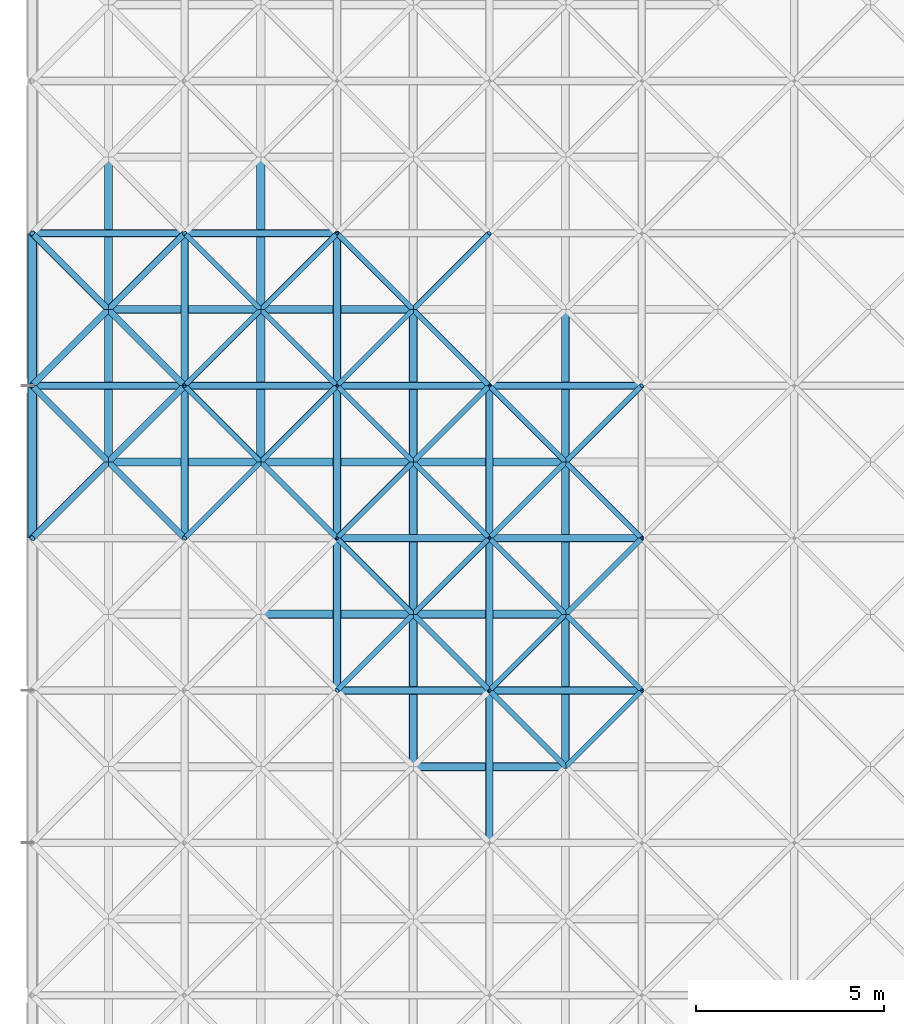
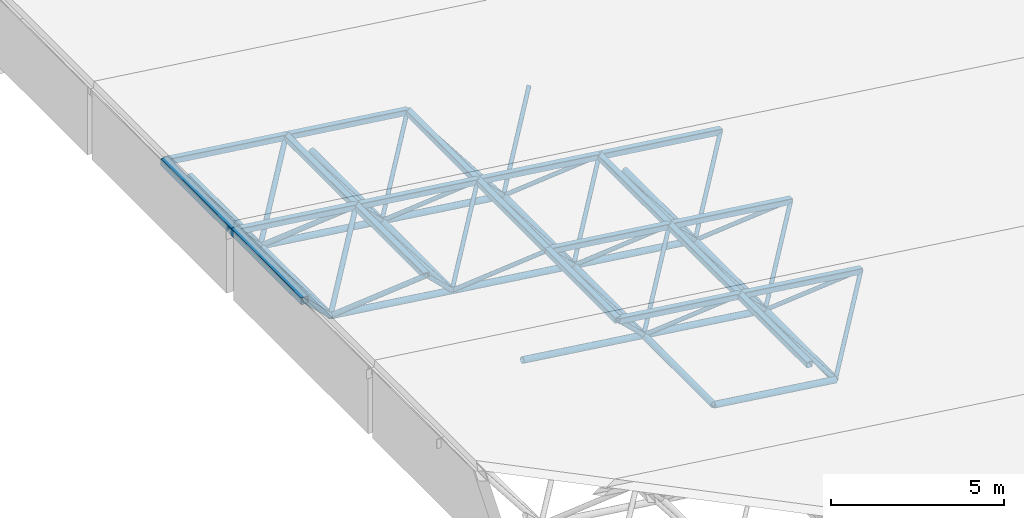
# One storey, part 20 of 70: 76 members.
"""IFC4 building model written with IfcOpenShell, lengths in metres."""

import ifcopenshell
import ifcopenshell.guid

model = None  # the IFC model being written
_history = None  # IfcOwnerHistory: only IFC2X3 demands one
_inside = {}  # id of a spatial element -> (the spatial element, [elements in it])
_under = {}  # id of a project, library or spatial element -> (it, [spatial elements below it])
_declared = {}  # id of a project -> (the project, [libraries it declares])
_typed = {}  # id of a type object -> (the type object, [elements of that type])
_made_of = {}  # id of a material, layer set ... -> (it, [elements and type objects made of it])


def new_model(schema):
    """Start an empty IFC model of exactly this schema.

    Asked for "IFC4X3", IfcOpenShell would pick the latest addendum, in which some entities
    have other attributes; the version numbers below select the first issue.
    IFC2X3 requires an IfcOwnerHistory on every rooted entity: one is made here for all.
    """
    global model, _history
    if schema == "IFC4X3":
        model = ifcopenshell.file(schema_version=(4, 3, 0, 0))
    else:
        model = ifcopenshell.file(schema=schema)
    _inside.clear()
    _under.clear()
    _declared.clear()
    _typed.clear()
    _made_of.clear()
    _history = None
    if model.schema == "IFC2X3":
        org = make("IfcOrganization", Name="unknown")
        user = make(
            "IfcPersonAndOrganization",
            ThePerson=make("IfcPerson", FamilyName="unknown"),
            TheOrganization=org,
        )
        app = make(
            "IfcApplication",
            ApplicationDeveloper=org,
            Version="unknown",
            ApplicationFullName="unknown",
            ApplicationIdentifier="unknown",
        )
        _history = make(
            "IfcOwnerHistory",
            OwningUser=user,
            OwningApplication=app,
            ChangeAction="ADDED",
            CreationDate=0,
        )
    return model


def make(cls, **values):
    """One entity of the class cls with the attributes given. An attribute that is None is left unset."""
    return model.create_entity(
        cls, **{name: value for name, value in values.items() if value is not None}
    )


def rooted(cls, **values):
    """An entity with a GlobalId (a new one), such as an element, a storey or a relation."""
    return make(cls, GlobalId=ifcopenshell.guid.new(), OwnerHistory=_history, **values)


def si_unit(unit_type, name, prefix=None):
    """IfcSIUnit, for example si_unit("LENGTHUNIT", "METRE", prefix="MILLI")."""
    return make("IfcSIUnit", UnitType=unit_type, Prefix=prefix, Name=name)


def assignment(units):
    """IfcUnitAssignment: the units of a project."""
    return None if units is None else make("IfcUnitAssignment", Units=units)


def point(xyz):
    """IfcCartesianPoint."""
    return None if xyz is None else make("IfcCartesianPoint", Coordinates=xyz)


def direction(xyz):
    """IfcDirection."""
    return None if xyz is None else make("IfcDirection", DirectionRatios=xyz)


def frame(location, z_axis=None, x_axis=None):
    """IfcAxis2Placement3D, a coordinate frame: its origin and axes. An axis left out is left unset."""
    return make(
        "IfcAxis2Placement3D",
        Location=point(location),
        Axis=direction(z_axis),
        RefDirection=direction(x_axis),
    )


def frame_2d(location, x_axis=None):
    """IfcAxis2Placement2D, a coordinate frame in the plane: its origin and x axis."""
    return make(
        "IfcAxis2Placement2D", Location=point(location), RefDirection=direction(x_axis)
    )


def origin():
    """The frame at (0, 0, 0) with its axes left unset."""
    return frame((0.0, 0.0, 0.0))


def origin_2d():
    """The frame at (0, 0) in the plane with its x axis left unset."""
    return frame_2d((0.0, 0.0))


def place(relative_to, where):
    """IfcLocalPlacement: puts the frame where relative to a parent placement (None: the world)."""
    return make(
        "IfcLocalPlacement", PlacementRelTo=relative_to, RelativePlacement=where
    )


def context(
    kind, dimensions, precision=None, world=None, true_north=None, identifier=None
):
    """IfcGeometricRepresentationContext, for example the 3D "Model" context."""
    return make(
        "IfcGeometricRepresentationContext",
        ContextIdentifier=identifier,
        ContextType=kind,
        CoordinateSpaceDimension=dimensions,
        Precision=precision,
        WorldCoordinateSystem=world,
        TrueNorth=true_north,
    )


def subcontext(parent, identifier, kind, view, scale=None):
    """IfcGeometricRepresentationSubContext, for example "Body" below "Model"."""
    return make(
        "IfcGeometricRepresentationSubContext",
        ContextIdentifier=identifier,
        ContextType=kind,
        ParentContext=parent,
        TargetScale=scale,
        TargetView=view,
    )


def project(units=None, contexts=None):
    """IfcProject with its units and contexts."""
    return rooted(
        "IfcProject",
        Name="project",
        RepresentationContexts=contexts,
        UnitsInContext=assignment(units),
    )


def spatial(cls, under=None, at=None, **own):
    """A site, building, storey or space (cls), placed at a placement, below another one or the project."""
    s = rooted(cls, ObjectPlacement=at, **own)
    if under is not None:
        _under.setdefault(under.id(), (under, []))[1].append(s)
    return s


def profile(cls, at=None, kind="AREA", **sizes):
    """A parametric profile (cls). Its sizes go by their IFC names, for example OverallWidth=200.0."""
    return make(cls, ProfileType=kind, Position=at, **sizes)


def hollow_rectangle(**sizes):
    """IfcRectangleHollowProfileDef."""
    return profile("IfcRectangleHollowProfileDef", **sizes)


def hollow_circle(**sizes):
    """IfcCircleHollowProfileDef."""
    return profile("IfcCircleHollowProfileDef", **sizes)


def extrude(swept, where, along, depth):
    """IfcExtrudedAreaSolid: the profile swept, set in the frame where, extruded along a direction by depth."""
    return make(
        "IfcExtrudedAreaSolid",
        SweptArea=swept,
        Position=where,
        ExtrudedDirection=direction(along),
        Depth=depth,
    )


def shape(context_of_items, identifier, shape_type, items):
    """IfcShapeRepresentation: the items that make up one representation, for example the "Body"."""
    return make(
        "IfcShapeRepresentation",
        ContextOfItems=context_of_items,
        RepresentationIdentifier=identifier,
        RepresentationType=shape_type,
        Items=items,
    )


def material(Name=None, Category=None):
    """IfcMaterial."""
    return make("IfcMaterial", Name=Name, Category=Category)


def material_profile(
    of_material, cross_section, Name=None, Category=None, Priority=None
):
    """IfcMaterialProfile: a cross section and its material."""
    return make(
        "IfcMaterialProfile",
        Name=Name,
        Material=of_material,
        Profile=cross_section,
        Priority=Priority,
        Category=Category,
    )


def profile_set(profiles, Name=None, composite=None):
    """IfcMaterialProfileSet."""
    return make(
        "IfcMaterialProfileSet",
        Name=Name,
        MaterialProfiles=profiles,
        CompositeProfile=composite,
    )


def made_of(thing, what):
    """Note that an element or type object is made of a material, layer set ...; save() writes the relation."""
    if what is not None:
        _made_of.setdefault(what.id(), (what, []))[1].append(thing)
    return thing


def type_object(cls, material=None, **own):
    """A type object (cls), such as IfcWallType, which elements share."""
    return made_of(rooted(cls, **own), material)


def element(
    cls,
    number,
    at=None,
    inside=None,
    cuts=None,
    type_object=None,
    material=None,
    context=None,
    identifier="Body",
    shape_type=None,
    held_by="IfcProductDefinitionShape",
    body=None,
    shapes=None,
    **own,
):
    """One element of the class cls, such as IfcWall. Its Tag is "e" and its number.

    at: its placement. inside: the storey or other place that contains it. cuts: it is an
    opening in that element (IfcRelVoidsElement). A single representation is given by context,
    identifier, shape_type and body (its items); several are given by shapes. held_by: the class
    of the entity that holds the representations. save() writes the other relations.
    """
    e = rooted(cls, Tag="e%d" % number, ObjectPlacement=at, **own)
    if body is not None:
        shapes = [shape(context, identifier, shape_type, body)]
    if shapes is not None:
        e.Representation = make(held_by, Representations=shapes)
    if inside is not None:
        _inside.setdefault(inside.id(), (inside, []))[1].append(e)
    if cuts is not None:
        rooted(
            "IfcRelVoidsElement", RelatingBuildingElement=cuts, RelatedOpeningElement=e
        )
    if type_object is not None:
        _typed.setdefault(type_object.id(), (type_object, []))[1].append(e)
    return made_of(e, material)


def aggregate(whole, parts):
    """IfcRelAggregates: a whole, such as a stair, and the parts it consists of."""
    return rooted("IfcRelAggregates", RelatingObject=whole, RelatedObjects=parts)


def save(model, path):
    """Write the relations noted so far, then the file.

    IfcRelAggregates (storeys below a building ...), IfcRelContainedInSpatialStructure (elements
    in a storey), IfcRelDefinesByType, IfcRelAssociatesMaterial and IfcRelDeclares: one each for
    every whole, place, type object, material and project.
    """
    for whole, parts in _under.values():
        aggregate(whole, parts)
    for where, things in _inside.values():
        rooted(
            "IfcRelContainedInSpatialStructure",
            RelatedElements=things,
            RelatingStructure=where,
        )
    for kind, things in _typed.values():
        rooted("IfcRelDefinesByType", RelatedObjects=things, RelatingType=kind)
    for what, things in _made_of.values():
        rooted("IfcRelAssociatesMaterial", RelatedObjects=things, RelatingMaterial=what)
    for by, libraries in _declared.values():
        rooted("IfcRelDeclares", RelatingContext=by, RelatedDefinitions=libraries)
    model.write(path)


model = new_model("IFC4")

# Units and contexts
model_context = context("Model", 3, precision=1e-05, world=origin(), true_north=direction((0.0, 1.0)))
body_context = subcontext(model_context, "Body", "Model", "MODEL_VIEW")
ifc_project = project(units=[si_unit("LENGTHUNIT", "METRE"), si_unit("AREAUNIT", "SQUARE_METRE"), si_unit("VOLUMEUNIT", "CUBIC_METRE"), si_unit("PLANEANGLEUNIT", "RADIAN"), si_unit("MASSUNIT", "GRAM", prefix="KILO")], contexts=[model_context])

# Site, building, storey
site_placement = place(None, origin())
site = spatial("IfcSite", under=ifc_project, at=site_placement, CompositionType="ELEMENT")
building_placement = place(site_placement, origin())
building = spatial("IfcBuilding", under=site, at=building_placement, Name="Vaudrelin Polytechnic", CompositionType="ELEMENT")
storey_placement = place(building_placement, frame((0.0, 0.0, 14.110107421875)))
storey = spatial("IfcBuildingStorey", under=building, at=storey_placement, Name="L03", CompositionType="ELEMENT", Elevation=14.110107421875)

# Members
ifc_material = material(Name="Steel CSA G40.21 350WT", Category="steel")
ifc_material_profile_1 = material_profile(ifc_material, hollow_circle(Radius=0.109619140625, WallThickness=0.010986328125, at=origin_2d()), Name="CHS219.1x11.1")
ifc_profile_set_1 = profile_set([ifc_material_profile_1], Name="Steel CSA G40.21 350WT")
member_type_1 = type_object("IfcMemberType", Name="MEM-SF-BC1", PredefinedType="CHORD", material=ifc_profile_set_1)
for number, where, z_axis, x_axis, name in (
    (1, (10.125, 70.875, 0.972412109375), (0.991444732077, 0.0, -0.130527174324), (0.0, 1.0, 0.0), "Space frame bottom chord X 3-8"),
    (2, (6.074951171875, 74.925048828125, 1.505615234375), (0.991444732077, 0.0, -0.130527174324), (0.0, 1.0, 0.0), "Space frame bottom chord X 2-9"),
    (3, (10.125, 74.925048828125, 0.972412109375), (0.991444732077, 0.0, -0.130527174324), (0.0, 1.0, 0.0), "Space frame bottom chord X 3-9"),
    (4, (2.02490234375, 78.97509765625, 2.038818359375), (0.991444732077, 0.0, -0.130527174324), (0.0, 1.0, 0.0), "Space frame bottom chord X 1-10"),
    (5, (6.074951171875, 78.97509765625, 1.505615234375), (0.991444732077, 0.0, -0.130527174324), (0.0, 1.0, 0.0), "Space frame bottom chord X 2-10"),
    (6, (10.125, 78.97509765625, 0.972412109375), (0.991444732077, 0.0, -0.130527174324), (0.0, 1.0, 0.0), "Space frame bottom chord X 3-10"),
    (7, (2.02490234375, 83.02490234375, 2.038818359375), (0.991444732077, 0.0, -0.130527174324), (0.0, 1.0, 0.0), "Space frame bottom chord X 1-11"),
    (8, (6.074951171875, 83.02490234375, 1.505615234375), (0.991444732077, 0.0, -0.130527174324), (0.0, 1.0, 0.0), "Space frame bottom chord X 2-11"),
):
    element("IfcMember", number, at=place(storey_placement, frame(where, z_axis=z_axis, x_axis=x_axis)), inside=storey, type_object=member_type_1, Name=name, PredefinedType="CHORD", context=body_context, shape_type="SweptSolid", body=[
        extrude(hollow_circle(Radius=0.109619140625, WallThickness=0.010986328125, at=origin_2d()), origin(), (0.0, 0.0, 1.0), 4.0849609375),
    ])
member_1_placement = place(storey_placement, frame((2.02490234375, 78.97509765625, 2.038818359375), z_axis=(0.0, 1.0, 0.0), x_axis=(-1.0, 0.0, 0.0)))
element("IfcMember", 9, at=member_1_placement, inside=storey, type_object=member_type_1, Name="Space frame bottom chord Y 1-10", PredefinedType="CHORD", context=body_context, shape_type="SweptSolid", body=[
    extrude(hollow_circle(Radius=0.109619140625, WallThickness=0.010986328125, at=origin_2d()), origin(), (0.0, 0.0, 1.0), 4.0498046875),
])
member_2_placement = place(storey_placement, frame((2.02490234375, 83.02490234375, 2.038818359375), z_axis=(0.0, 1.0, 0.0), x_axis=(-1.0, 0.0, 0.0)))
element("IfcMember", 10, at=member_2_placement, inside=storey, type_object=member_type_1, Name="Space frame bottom chord Y 1-11", PredefinedType="CHORD", context=body_context, shape_type="SweptSolid", body=[
    extrude(hollow_circle(Radius=0.109619140625, WallThickness=0.010986328125, at=origin_2d()), origin(), (0.0, 0.0, 1.0), 4.050048828125),
])
member_3_placement = place(storey_placement, frame((6.074951171875, 78.97509765625, 1.505615234375), z_axis=(0.0, 1.0, 0.0), x_axis=(-1.0, 0.0, 0.0)))
element("IfcMember", 11, at=member_3_placement, inside=storey, type_object=member_type_1, Name="Space frame bottom chord Y 2-10", PredefinedType="CHORD", context=body_context, shape_type="SweptSolid", body=[
    extrude(hollow_circle(Radius=0.109619140625, WallThickness=0.010986328125, at=origin_2d()), origin(), (0.0, 0.0, 1.0), 4.0498046875),
])
for number, where, z_axis, x_axis, name in (
    (12, (6.074951171875, 83.02490234375, 1.505615234375), (0.0, 1.0, 0.0), (-1.0, 0.0, 0.0), "Space frame bottom chord Y 2-11"),
    (13, (10.125, 70.875, 0.972412109375), (0.0, 1.0, 0.0), (-1.0, 0.0, 0.0), "Space frame bottom chord Y 3-8"),
    (14, (10.125, 74.925048828125, 0.972412109375), (0.0, 1.0, 0.0), (-1.0, 0.0, 0.0), "Space frame bottom chord Y 3-9"),
):
    element("IfcMember", number, at=place(storey_placement, frame(where, z_axis=z_axis, x_axis=x_axis)), inside=storey, type_object=member_type_1, Name=name, PredefinedType="CHORD", context=body_context, shape_type="SweptSolid", body=[
        extrude(hollow_circle(Radius=0.109619140625, WallThickness=0.010986328125, at=origin_2d()), origin(), (0.0, 0.0, 1.0), 4.050048828125),
    ])
member_4_placement = place(storey_placement, frame((10.125, 78.97509765625, 0.972412109375), z_axis=(0.0, 1.0, 0.0), x_axis=(-1.0, 0.0, 0.0)))
element("IfcMember", 15, at=member_4_placement, inside=storey, type_object=member_type_1, Name="Space frame bottom chord Y 3-10", PredefinedType="CHORD", context=body_context, shape_type="SweptSolid", body=[
    extrude(hollow_circle(Radius=0.109619140625, WallThickness=0.010986328125, at=origin_2d()), origin(), (0.0, 0.0, 1.0), 4.0498046875),
])
for number, where, z_axis, x_axis, name in (
    (16, (14.175048828125, 70.875, 0.439208984375), (0.0, 1.0, 0.0), (-1.0, 0.0, 0.0), "Space frame bottom chord Y 4-8"),
    (17, (14.175048828125, 74.925048828125, 0.439208984375), (0.0, 1.0, 0.0), (-1.0, 0.0, 0.0), "Space frame bottom chord Y 4-9"),
):
    element("IfcMember", number, at=place(storey_placement, frame(where, z_axis=z_axis, x_axis=x_axis)), inside=storey, type_object=member_type_1, Name=name, PredefinedType="CHORD", context=body_context, shape_type="SweptSolid", body=[
        extrude(hollow_circle(Radius=0.109619140625, WallThickness=0.010986328125, at=origin_2d()), origin(), (0.0, 0.0, 1.0), 4.050048828125),
    ])
member_5_placement = place(storey_placement, frame((14.175048828125, 78.97509765625, 0.439208984375), z_axis=(0.0, 1.0, 0.0), x_axis=(-1.0, 0.0, 0.0)))
element("IfcMember", 18, at=member_5_placement, inside=storey, type_object=member_type_1, Name="Space frame bottom chord Y 4-10", PredefinedType="CHORD", context=body_context, shape_type="SweptSolid", body=[
    extrude(hollow_circle(Radius=0.109619140625, WallThickness=0.010986328125, at=origin_2d()), origin(), (0.0, 0.0, 1.0), 4.0498046875),
])
ifc_material_profile_2 = material_profile(ifc_material, hollow_rectangle(XDim=0.202880859375, YDim=0.202880859375, WallThickness=0.009521484375, InnerFilletRadius=0.009521484375, OuterFilletRadius=0.01904296875, at=origin_2d()), Name="HSS203x203x9.5")
ifc_profile_set_2 = profile_set([ifc_material_profile_2], Name="Steel CSA G40.21 350WT")
member_type_2 = type_object("IfcMemberType", Name="MEM-SF-TC1", PredefinedType="CHORD", material=ifc_profile_set_2)
member_6_placement = place(storey_placement, frame((8.10009765625, 72.89990234375, 3.439208984375), z_axis=(0.991443713746, 0.0, -0.13053490902), x_axis=(0.0, 1.0, 0.0)))
element("IfcMember", 19, at=member_6_placement, inside=storey, type_object=member_type_2, Name="Space frame top chord X 3-9", PredefinedType="CHORD", context=body_context, shape_type="SweptSolid", body=[
    extrude(hollow_rectangle(XDim=0.202880859375, YDim=0.202880859375, WallThickness=0.009521484375, InnerFilletRadius=0.009521484375, OuterFilletRadius=0.01904296875, at=origin_2d()), origin(), (0.0, 0.0, 1.0), 4.084716796875),
])
member_7_placement = place(storey_placement, frame((12.14990234375, 72.89990234375, 2.906005859375), z_axis=(0.991444732077, 0.0, -0.130527174324), x_axis=(0.0, 1.0, 0.0)))
element("IfcMember", 20, at=member_7_placement, inside=storey, type_object=member_type_2, Name="Space frame top chord X 4-9", PredefinedType="CHORD", context=body_context, shape_type="SweptSolid", body=[
    extrude(hollow_rectangle(XDim=0.202880859375, YDim=0.202880859375, WallThickness=0.009521484375, InnerFilletRadius=0.009521484375, OuterFilletRadius=0.01904296875, at=origin_2d()), origin(), (0.0, 0.0, 1.0), 4.0849609375),
])
member_8_placement = place(storey_placement, frame((8.10009765625, 76.949951171875, 3.439208984375), z_axis=(0.991443713746, 0.0, -0.13053490902), x_axis=(0.0, 1.0, 0.0)))
element("IfcMember", 21, at=member_8_placement, inside=storey, type_object=member_type_2, Name="Space frame top chord X 3-10", PredefinedType="CHORD", context=body_context, shape_type="SweptSolid", body=[
    extrude(hollow_rectangle(XDim=0.202880859375, YDim=0.202880859375, WallThickness=0.009521484375, InnerFilletRadius=0.009521484375, OuterFilletRadius=0.01904296875, at=origin_2d()), origin(), (0.0, 0.0, 1.0), 4.084716796875),
])
for number, where, z_axis, x_axis, name in (
    (22, (12.14990234375, 76.949951171875, 2.906005859375), (0.991444732077, 0.0, -0.130527174324), (0.0, 1.0, 0.0), "Space frame top chord X 4-10"),
    (23, (0.0, 81.0, 4.50537109375), (0.991444732077, 0.0, -0.130527174324), (0.0, 1.0, 0.0), "Space frame top chord X 1-11"),
    (24, (4.050048828125, 81.0, 3.97216796875), (0.991452464639, 0.0, -0.130468426687), (0.0, 1.0, 0.0), "Space frame top chord X 2-11"),
):
    element("IfcMember", number, at=place(storey_placement, frame(where, z_axis=z_axis, x_axis=x_axis)), inside=storey, type_object=member_type_2, Name=name, PredefinedType="CHORD", context=body_context, shape_type="SweptSolid", body=[
        extrude(hollow_rectangle(XDim=0.202880859375, YDim=0.202880859375, WallThickness=0.009521484375, InnerFilletRadius=0.009521484375, OuterFilletRadius=0.01904296875, at=origin_2d()), origin(), (0.0, 0.0, 1.0), 4.0849609375),
    ])
member_9_placement = place(storey_placement, frame((8.10009765625, 81.0, 3.439208984375), z_axis=(0.991443713746, 0.0, -0.13053490902), x_axis=(0.0, 1.0, 0.0)))
element("IfcMember", 25, at=member_9_placement, inside=storey, type_object=member_type_2, Name="Space frame top chord X 3-11", PredefinedType="CHORD", context=body_context, shape_type="SweptSolid", body=[
    extrude(hollow_rectangle(XDim=0.202880859375, YDim=0.202880859375, WallThickness=0.009521484375, InnerFilletRadius=0.009521484375, OuterFilletRadius=0.01904296875, at=origin_2d()), origin(), (0.0, 0.0, 1.0), 4.084716796875),
])
for number, where, z_axis, x_axis, name in (
    (26, (12.14990234375, 81.0, 2.906005859375), (0.991444732077, 0.0, -0.130527174324), (0.0, 1.0, 0.0), "Space frame top chord X 4-11"),
    (27, (0.0, 85.050048828125, 4.50537109375), (0.991444732077, 0.0, -0.130527174324), (0.0, 1.0, 0.0), "Space frame top chord X 1-12"),
    (28, (4.050048828125, 85.050048828125, 3.97216796875), (0.991452464639, 0.0, -0.130468426687), (0.0, 1.0, 0.0), "Space frame top chord X 2-12"),
):
    element("IfcMember", number, at=place(storey_placement, frame(where, z_axis=z_axis, x_axis=x_axis)), inside=storey, type_object=member_type_2, Name=name, PredefinedType="CHORD", context=body_context, shape_type="SweptSolid", body=[
        extrude(hollow_rectangle(XDim=0.202880859375, YDim=0.202880859375, WallThickness=0.009521484375, InnerFilletRadius=0.009521484375, OuterFilletRadius=0.01904296875, at=origin_2d()), origin(), (0.0, 0.0, 1.0), 4.0849609375),
    ])
for number, where, z_axis, x_axis, name in (
    (29, (4.050048828125, 76.949951171875, 3.97216796875), (0.0, 1.0, 0.0), (-1.0, 0.0, 0.0), "Space frame top chord Y 2-10"),
    (30, (4.050048828125, 81.0, 3.97216796875), (0.0, 1.0, 0.0), (-1.0, 0.0, 0.0), "Space frame top chord Y 2-11"),
    (31, (8.10009765625, 72.89990234375, 3.439208984375), (0.0, 1.0, 0.0), (-1.0, 0.0, 0.0), "Space frame top chord Y 3-9"),
    (32, (8.10009765625, 76.949951171875, 3.439208984375), (0.0, 1.0, 0.0), (-1.0, 0.0, 0.0), "Space frame top chord Y 3-10"),
    (33, (8.10009765625, 81.0, 3.439208984375), (0.0, 1.0, 0.0), (-1.0, 0.0, 0.0), "Space frame top chord Y 3-11"),
):
    element("IfcMember", number, at=place(storey_placement, frame(where, z_axis=z_axis, x_axis=x_axis)), inside=storey, type_object=member_type_2, Name=name, PredefinedType="CHORD", context=body_context, shape_type="SweptSolid", body=[
        extrude(hollow_rectangle(XDim=0.202880859375, YDim=0.202880859375, WallThickness=0.009521484375, InnerFilletRadius=0.009521484375, OuterFilletRadius=0.01904296875, at=origin_2d()), origin(), (0.0, 0.0, 1.0), 4.050048828125),
    ])
member_10_placement = place(storey_placement, frame((12.14990234375, 68.85009765625, 2.906005859375), z_axis=(0.0, 1.0, 0.0), x_axis=(-1.0, 0.0, 0.0)))
element("IfcMember", 34, at=member_10_placement, inside=storey, type_object=member_type_2, Name="Space frame top chord Y 4-8", PredefinedType="CHORD", context=body_context, shape_type="SweptSolid", body=[
    extrude(hollow_rectangle(XDim=0.202880859375, YDim=0.202880859375, WallThickness=0.009521484375, InnerFilletRadius=0.009521484375, OuterFilletRadius=0.01904296875, at=origin_2d()), origin(), (0.0, 0.0, 1.0), 4.0498046875),
])
for number, where, z_axis, x_axis, name in (
    (35, (12.14990234375, 72.89990234375, 2.906005859375), (0.0, 1.0, 0.0), (-1.0, 0.0, 0.0), "Space frame top chord Y 4-9"),
    (36, (12.14990234375, 76.949951171875, 2.906005859375), (0.0, 1.0, 0.0), (-1.0, 0.0, 0.0), "Space frame top chord Y 4-10"),
):
    element("IfcMember", number, at=place(storey_placement, frame(where, z_axis=z_axis, x_axis=x_axis)), inside=storey, type_object=member_type_2, Name=name, PredefinedType="CHORD", context=body_context, shape_type="SweptSolid", body=[
        extrude(hollow_rectangle(XDim=0.202880859375, YDim=0.202880859375, WallThickness=0.009521484375, InnerFilletRadius=0.009521484375, OuterFilletRadius=0.01904296875, at=origin_2d()), origin(), (0.0, 0.0, 1.0), 4.050048828125),
    ])
ifc_material_profile_3 = material_profile(ifc_material, hollow_rectangle(XDim=0.25390625, YDim=0.25390625, WallThickness=0.0126953125, InnerFilletRadius=0.0126953125, OuterFilletRadius=0.025390625, at=origin_2d()), Name="HSS254x254x12.7")
ifc_profile_set_3 = profile_set([ifc_material_profile_3], Name="Steel CSA G40.21 350WT")
member_type_3 = type_object("IfcMemberType", Name="MEM-SF-TC2", PredefinedType="CHORD", material=ifc_profile_set_3)
for number, where, z_axis, x_axis, name in (
    (37, (0.0, 76.949951171875, 4.50537109375), (0.0, 1.0, 0.0), (-1.0, 0.0, 0.0), "Space frame top chord Y 1-10"),
    (38, (0.0, 81.0, 4.50537109375), (0.0, 1.0, 0.0), (-1.0, 0.0, 0.0), "Space frame top chord Y 1-11"),
):
    element("IfcMember", number, at=place(storey_placement, frame(where, z_axis=z_axis, x_axis=x_axis)), inside=storey, type_object=member_type_3, Name=name, PredefinedType="CHORD", context=body_context, shape_type="SweptSolid", body=[
        extrude(hollow_rectangle(XDim=0.25390625, YDim=0.25390625, WallThickness=0.0126953125, InnerFilletRadius=0.0126953125, OuterFilletRadius=0.025390625, at=origin_2d()), origin(), (0.0, 0.0, 1.0), 4.050048828125),
    ])
ifc_material_profile_4 = material_profile(ifc_material, hollow_circle(Radius=0.06982421875, WallThickness=0.008056640625, at=origin_2d()), Name="CHS139.7x8.0")
ifc_profile_set_4 = profile_set([ifc_material_profile_4], Name="Steel CSA G40.21 350WT")
member_type_4 = type_object("IfcMemberType", Name="MEM-SF-WB1", PredefinedType="BRACE", material=ifc_profile_set_4)
member_11_placement = place(storey_placement, frame((6.074951171875, 78.97509765625, 1.505615234375), z_axis=(-0.535746005601, -0.535810600007, 0.652597286543), x_axis=(0.707149404941, -0.707064154862, 0.0)))
element("IfcMember", 39, at=member_11_placement, inside=storey, type_object=member_type_4, Name="Space frame web diagonal 2.10.1", PredefinedType="BRACE", context=body_context, shape_type="SweptSolid", body=[
    extrude(hollow_circle(Radius=0.06982421875, WallThickness=0.008056640625, at=origin_2d()), origin(), (0.0, 0.0, 1.0), 3.779541015625),
])
for number, where, z_axis, x_axis, name in (
    (40, (6.074951171875, 78.97509765625, 1.505615234375), (0.586046488267, -0.586046488267, 0.559552524059), (0.707106781187, 0.707106781187, 0.0), "Space frame web diagonal 2.10.2"),
    (41, (6.074951171875, 78.97509765625, 1.505615234375), (0.586070753284, 0.586000099787, 0.559575692105), (-0.707064154862, 0.707149404941, 0.0), "Space frame web diagonal 2.10.3"),
):
    element("IfcMember", number, at=place(storey_placement, frame(where, z_axis=z_axis, x_axis=x_axis)), inside=storey, type_object=member_type_4, Name=name, PredefinedType="BRACE", context=body_context, shape_type="SweptSolid", body=[
        extrude(hollow_circle(Radius=0.06982421875, WallThickness=0.008056640625, at=origin_2d()), origin(), (0.0, 0.0, 1.0), 3.45556640625),
    ])
for number, where, z_axis, x_axis, name in (
    (42, (6.074951171875, 78.97509765625, 1.505615234375), (-0.535764547812, 0.535764547812, 0.652619872986), (-0.707106781187, -0.707106781187, 0.0), "Space frame web diagonal 2.10.4"),
    (43, (6.074951171875, 83.02490234375, 1.505615234375), (-0.535764547812, -0.535764547812, 0.652619872986), (0.707106781187, -0.707106781187, 0.0), "Space frame web diagonal 2.11.1"),
):
    element("IfcMember", number, at=place(storey_placement, frame(where, z_axis=z_axis, x_axis=x_axis)), inside=storey, type_object=member_type_4, Name=name, PredefinedType="BRACE", context=body_context, shape_type="SweptSolid", body=[
        extrude(hollow_circle(Radius=0.06982421875, WallThickness=0.008056640625, at=origin_2d()), origin(), (0.0, 0.0, 1.0), 3.779541015625),
    ])
for number, where, z_axis, x_axis, name in (
    (44, (6.074951171875, 83.02490234375, 1.505615234375), (0.586070753284, -0.586000099787, 0.559575692105), (0.707064154862, 0.707149404941, 0.0), "Space frame web diagonal 2.11.2"),
    (45, (6.074951171875, 83.02490234375, 1.505615234375), (0.586046488267, 0.586046488267, 0.559552524059), (-0.707106781187, 0.707106781187, 0.0), "Space frame web diagonal 2.11.3"),
):
    element("IfcMember", number, at=place(storey_placement, frame(where, z_axis=z_axis, x_axis=x_axis)), inside=storey, type_object=member_type_4, Name=name, PredefinedType="BRACE", context=body_context, shape_type="SweptSolid", body=[
        extrude(hollow_circle(Radius=0.06982421875, WallThickness=0.008056640625, at=origin_2d()), origin(), (0.0, 0.0, 1.0), 3.45556640625),
    ])
member_12_placement = place(storey_placement, frame((6.074951171875, 83.02490234375, 1.505615234375), z_axis=(-0.535746005601, 0.535810600007, 0.652597286543), x_axis=(-0.707149404941, -0.707064154862, 0.0)))
element("IfcMember", 46, at=member_12_placement, inside=storey, type_object=member_type_4, Name="Space frame web diagonal 2.11.4", PredefinedType="BRACE", context=body_context, shape_type="SweptSolid", body=[
    extrude(hollow_circle(Radius=0.06982421875, WallThickness=0.008056640625, at=origin_2d()), origin(), (0.0, 0.0, 1.0), 3.779541015625),
])
member_13_placement = place(storey_placement, frame((10.125, 74.925048828125, 0.972412109375), z_axis=(-0.535723422002, -0.535788013686, 0.65263436893), x_axis=(0.707149404941, -0.707064154862, 0.0)))
element("IfcMember", 47, at=member_13_placement, inside=storey, type_object=member_type_4, Name="Space frame web diagonal 3.9.1", PredefinedType="BRACE", context=body_context, shape_type="SweptSolid", body=[
    extrude(hollow_circle(Radius=0.06982421875, WallThickness=0.008056640625, at=origin_2d()), origin(), (0.0, 0.0, 1.0), 3.77978515625),
])
member_14_placement = place(storey_placement, frame((10.125, 74.925048828125, 0.972412109375), z_axis=(0.586000099787, -0.586070753284, 0.559575692105), x_axis=(0.707149404941, 0.707064154862, 0.0)))
element("IfcMember", 48, at=member_14_placement, inside=storey, type_object=member_type_4, Name="Space frame web diagonal 3.9.2", PredefinedType="BRACE", context=body_context, shape_type="SweptSolid", body=[
    extrude(hollow_circle(Radius=0.06982421875, WallThickness=0.008056640625, at=origin_2d()), origin(), (0.0, 0.0, 1.0), 3.45556640625),
])
member_15_placement = place(storey_placement, frame((10.125, 74.925048828125, 0.972412109375), z_axis=(0.586024364893, 0.586024364893, 0.559598863028), x_axis=(-0.707106781187, 0.707106781187, 0.0)))
element("IfcMember", 49, at=member_15_placement, inside=storey, type_object=member_type_4, Name="Space frame web diagonal 3.9.3", PredefinedType="BRACE", context=body_context, shape_type="SweptSolid", body=[
    extrude(hollow_circle(Radius=0.06982421875, WallThickness=0.008056640625, at=origin_2d()), origin(), (0.0, 0.0, 1.0), 3.455322265625),
])
member_16_placement = place(storey_placement, frame((10.125, 74.925048828125, 0.972412109375), z_axis=(-0.535741961868, 0.535741961868, 0.652656954753), x_axis=(-0.707106781187, -0.707106781187, 0.0)))
element("IfcMember", 50, at=member_16_placement, inside=storey, type_object=member_type_4, Name="Space frame web diagonal 3.9.4", PredefinedType="BRACE", context=body_context, shape_type="SweptSolid", body=[
    extrude(hollow_circle(Radius=0.06982421875, WallThickness=0.008056640625, at=origin_2d()), origin(), (0.0, 0.0, 1.0), 3.779541015625),
])
member_17_placement = place(storey_placement, frame((10.125, 78.97509765625, 0.972412109375), z_axis=(-0.535723422002, -0.535788013686, 0.65263436893), x_axis=(0.707149404941, -0.707064154862, 0.0)))
element("IfcMember", 51, at=member_17_placement, inside=storey, type_object=member_type_4, Name="Space frame web diagonal 3.10.1", PredefinedType="BRACE", context=body_context, shape_type="SweptSolid", body=[
    extrude(hollow_circle(Radius=0.06982421875, WallThickness=0.008056640625, at=origin_2d()), origin(), (0.0, 0.0, 1.0), 3.77978515625),
])
member_18_placement = place(storey_placement, frame((10.125, 78.97509765625, 0.972412109375), z_axis=(0.586000099787, -0.586070753284, 0.559575692105), x_axis=(0.707149404941, 0.707064154862, 0.0)))
element("IfcMember", 52, at=member_18_placement, inside=storey, type_object=member_type_4, Name="Space frame web diagonal 3.10.2", PredefinedType="BRACE", context=body_context, shape_type="SweptSolid", body=[
    extrude(hollow_circle(Radius=0.06982421875, WallThickness=0.008056640625, at=origin_2d()), origin(), (0.0, 0.0, 1.0), 3.45556640625),
])
member_19_placement = place(storey_placement, frame((10.125, 78.97509765625, 0.972412109375), z_axis=(0.586024364893, 0.586024364893, 0.559598863028), x_axis=(-0.707106781187, 0.707106781187, 0.0)))
element("IfcMember", 53, at=member_19_placement, inside=storey, type_object=member_type_4, Name="Space frame web diagonal 3.10.3", PredefinedType="BRACE", context=body_context, shape_type="SweptSolid", body=[
    extrude(hollow_circle(Radius=0.06982421875, WallThickness=0.008056640625, at=origin_2d()), origin(), (0.0, 0.0, 1.0), 3.455322265625),
])
for number, where, z_axis, x_axis, name in (
    (54, (10.125, 78.97509765625, 0.972412109375), (-0.535741961868, 0.535741961868, 0.652656954753), (-0.707106781187, -0.707106781187, 0.0), "Space frame web diagonal 3.10.4"),
    (55, (10.125, 83.02490234375, 0.972412109375), (-0.535741961868, -0.535741961868, 0.652656954753), (0.707106781187, -0.707106781187, 0.0), "Space frame web diagonal 3.11.1"),
):
    element("IfcMember", number, at=place(storey_placement, frame(where, z_axis=z_axis, x_axis=x_axis)), inside=storey, type_object=member_type_4, Name=name, PredefinedType="BRACE", context=body_context, shape_type="SweptSolid", body=[
        extrude(hollow_circle(Radius=0.06982421875, WallThickness=0.008056640625, at=origin_2d()), origin(), (0.0, 0.0, 1.0), 3.779541015625),
    ])
member_20_placement = place(storey_placement, frame((10.125, 83.02490234375, 0.972412109375), z_axis=(0.586024364893, -0.586024364893, 0.559598863028), x_axis=(0.707106781187, 0.707106781187, 0.0)))
element("IfcMember", 56, at=member_20_placement, inside=storey, type_object=member_type_4, Name="Space frame web diagonal 3.11.2", PredefinedType="BRACE", context=body_context, shape_type="SweptSolid", body=[
    extrude(hollow_circle(Radius=0.06982421875, WallThickness=0.008056640625, at=origin_2d()), origin(), (0.0, 0.0, 1.0), 3.455322265625),
])
member_21_placement = place(storey_placement, frame((10.125, 83.02490234375, 0.972412109375), z_axis=(0.586000099787, 0.586070753284, 0.559575692105), x_axis=(-0.707149404941, 0.707064154862, 0.0)))
element("IfcMember", 57, at=member_21_placement, inside=storey, type_object=member_type_4, Name="Space frame web diagonal 3.11.3", PredefinedType="BRACE", context=body_context, shape_type="SweptSolid", body=[
    extrude(hollow_circle(Radius=0.06982421875, WallThickness=0.008056640625, at=origin_2d()), origin(), (0.0, 0.0, 1.0), 3.45556640625),
])
member_22_placement = place(storey_placement, frame((10.125, 83.02490234375, 0.972412109375), z_axis=(-0.535723422002, 0.535788013686, 0.65263436893), x_axis=(-0.707149404941, -0.707064154862, 0.0)))
element("IfcMember", 58, at=member_22_placement, inside=storey, type_object=member_type_4, Name="Space frame web diagonal 3.11.4", PredefinedType="BRACE", context=body_context, shape_type="SweptSolid", body=[
    extrude(hollow_circle(Radius=0.06982421875, WallThickness=0.008056640625, at=origin_2d()), origin(), (0.0, 0.0, 1.0), 3.77978515625),
])
member_23_placement = place(storey_placement, frame((14.175048828125, 70.875, 0.439208984375), z_axis=(0.586024364893, 0.586024364893, 0.559598863028), x_axis=(-0.707106781187, 0.707106781187, 0.0)))
element("IfcMember", 59, at=member_23_placement, inside=storey, type_object=member_type_4, Name="Space frame web diagonal 4.8.3", PredefinedType="BRACE", context=body_context, shape_type="SweptSolid", body=[
    extrude(hollow_circle(Radius=0.06982421875, WallThickness=0.008056640625, at=origin_2d()), origin(), (0.0, 0.0, 1.0), 3.455322265625),
])
for number, where, z_axis, x_axis, name in (
    (60, (14.175048828125, 70.875, 0.439208984375), (-0.535788013686, 0.535723422002, 0.65263436893), (-0.707064154862, -0.707149404941, 0.0), "Space frame web diagonal 4.8.4"),
    (61, (14.175048828125, 74.925048828125, 0.439208984375), (-0.535769473509, -0.535769473509, 0.652611785453), (0.707106781187, -0.707106781187, 0.0), "Space frame web diagonal 4.9.1"),
):
    element("IfcMember", number, at=place(storey_placement, frame(where, z_axis=z_axis, x_axis=x_axis)), inside=storey, type_object=member_type_4, Name=name, PredefinedType="BRACE", context=body_context, shape_type="SweptSolid", body=[
        extrude(hollow_circle(Radius=0.06982421875, WallThickness=0.008056640625, at=origin_2d()), origin(), (0.0, 0.0, 1.0), 3.77978515625),
    ])
member_24_placement = place(storey_placement, frame((14.175048828125, 74.925048828125, 0.439208984375), z_axis=(0.586000099787, -0.586070753284, 0.559575692105), x_axis=(0.707149404941, 0.707064154862, 0.0)))
element("IfcMember", 62, at=member_24_placement, inside=storey, type_object=member_type_4, Name="Space frame web diagonal 4.9.2", PredefinedType="BRACE", context=body_context, shape_type="SweptSolid", body=[
    extrude(hollow_circle(Radius=0.06982421875, WallThickness=0.008056640625, at=origin_2d()), origin(), (0.0, 0.0, 1.0), 3.45556640625),
])
member_25_placement = place(storey_placement, frame((14.175048828125, 74.925048828125, 0.439208984375), z_axis=(0.586024364893, 0.586024364893, 0.559598863028), x_axis=(-0.707106781187, 0.707106781187, 0.0)))
element("IfcMember", 63, at=member_25_placement, inside=storey, type_object=member_type_4, Name="Space frame web diagonal 4.9.3", PredefinedType="BRACE", context=body_context, shape_type="SweptSolid", body=[
    extrude(hollow_circle(Radius=0.06982421875, WallThickness=0.008056640625, at=origin_2d()), origin(), (0.0, 0.0, 1.0), 3.455322265625),
])
for number, where, z_axis, x_axis, name in (
    (64, (14.175048828125, 74.925048828125, 0.439208984375), (-0.535788013686, 0.535723422002, 0.65263436893), (-0.707064154862, -0.707149404941, 0.0), "Space frame web diagonal 4.9.4"),
    (65, (14.175048828125, 78.97509765625, 0.439208984375), (-0.535769473509, -0.535769473509, 0.652611785453), (0.707106781187, -0.707106781187, 0.0), "Space frame web diagonal 4.10.1"),
):
    element("IfcMember", number, at=place(storey_placement, frame(where, z_axis=z_axis, x_axis=x_axis)), inside=storey, type_object=member_type_4, Name=name, PredefinedType="BRACE", context=body_context, shape_type="SweptSolid", body=[
        extrude(hollow_circle(Radius=0.06982421875, WallThickness=0.008056640625, at=origin_2d()), origin(), (0.0, 0.0, 1.0), 3.77978515625),
    ])
member_26_placement = place(storey_placement, frame((14.175048828125, 78.97509765625, 0.439208984375), z_axis=(0.586000099787, -0.586070753284, 0.559575692105), x_axis=(0.707149404941, 0.707064154862, 0.0)))
element("IfcMember", 66, at=member_26_placement, inside=storey, type_object=member_type_4, Name="Space frame web diagonal 4.10.2", PredefinedType="BRACE", context=body_context, shape_type="SweptSolid", body=[
    extrude(hollow_circle(Radius=0.06982421875, WallThickness=0.008056640625, at=origin_2d()), origin(), (0.0, 0.0, 1.0), 3.45556640625),
])
member_27_placement = place(storey_placement, frame((14.175048828125, 78.97509765625, 0.439208984375), z_axis=(0.586024364893, 0.586024364893, 0.559598863028), x_axis=(-0.707106781187, 0.707106781187, 0.0)))
element("IfcMember", 67, at=member_27_placement, inside=storey, type_object=member_type_4, Name="Space frame web diagonal 4.10.3", PredefinedType="BRACE", context=body_context, shape_type="SweptSolid", body=[
    extrude(hollow_circle(Radius=0.06982421875, WallThickness=0.008056640625, at=origin_2d()), origin(), (0.0, 0.0, 1.0), 3.455322265625),
])
member_28_placement = place(storey_placement, frame((14.175048828125, 78.97509765625, 0.439208984375), z_axis=(-0.535788013686, 0.535723422002, 0.65263436893), x_axis=(-0.707064154862, -0.707149404941, 0.0)))
element("IfcMember", 68, at=member_28_placement, inside=storey, type_object=member_type_4, Name="Space frame web diagonal 4.10.4", PredefinedType="BRACE", context=body_context, shape_type="SweptSolid", body=[
    extrude(hollow_circle(Radius=0.06982421875, WallThickness=0.008056640625, at=origin_2d()), origin(), (0.0, 0.0, 1.0), 3.77978515625),
])
ifc_material_profile_5 = material_profile(ifc_material, hollow_circle(Radius=0.084228515625, WallThickness=0.009521484375, at=origin_2d()), Name="CHS168.3x9.5")
ifc_profile_set_5 = profile_set([ifc_material_profile_5], Name="Steel CSA G40.21 350WT")
member_type_5 = type_object("IfcMemberType", Name="MEM-SF-WB2", PredefinedType="BRACE", material=ifc_profile_set_5)
member_29_placement = place(storey_placement, frame((2.02490234375, 78.97509765625, 2.038818359375), z_axis=(-0.535746005601, -0.535810600007, 0.652597286543), x_axis=(0.707149404941, -0.707064154862, 0.0)))
element("IfcMember", 69, at=member_29_placement, inside=storey, type_object=member_type_5, Name="Space frame web diagonal 1.10.1", PredefinedType="BRACE", context=body_context, shape_type="SweptSolid", body=[
    extrude(hollow_circle(Radius=0.084228515625, WallThickness=0.009521484375, at=origin_2d()), origin(), (0.0, 0.0, 1.0), 3.779541015625),
])
member_30_placement = place(storey_placement, frame((2.02490234375, 78.97509765625, 2.038818359375), z_axis=(0.586069656181, -0.586069656181, 0.559503991235), x_axis=(0.707106781187, 0.707106781187, 0.0)))
element("IfcMember", 70, at=member_30_placement, inside=storey, type_object=member_type_5, Name="Space frame web diagonal 1.10.2", PredefinedType="BRACE", context=body_context, shape_type="SweptSolid", body=[
    extrude(hollow_circle(Radius=0.084228515625, WallThickness=0.009521484375, at=origin_2d()), origin(), (0.0, 0.0, 1.0), 3.45556640625),
])
member_31_placement = place(storey_placement, frame((2.02490234375, 78.97509765625, 2.038818359375), z_axis=(0.586093924076, 0.586023267786, 0.559527159103), x_axis=(-0.707064154862, 0.707149404941, 0.0)))
element("IfcMember", 71, at=member_31_placement, inside=storey, type_object=member_type_5, Name="Space frame web diagonal 1.10.3", PredefinedType="BRACE", context=body_context, shape_type="SweptSolid", body=[
    extrude(hollow_circle(Radius=0.084228515625, WallThickness=0.009521484375, at=origin_2d()), origin(), (0.0, 0.0, 1.0), 3.455322265625),
])
for number, where, z_axis, x_axis, name in (
    (72, (2.02490234375, 78.97509765625, 2.038818359375), (-0.535764547812, 0.535764547812, 0.652619872986), (-0.707106781187, -0.707106781187, 0.0), "Space frame web diagonal 1.10.4"),
    (73, (2.02490234375, 83.02490234375, 2.038818359375), (-0.535764547812, -0.535764547812, 0.652619872986), (0.707106781187, -0.707106781187, 0.0), "Space frame web diagonal 1.11.1"),
):
    element("IfcMember", number, at=place(storey_placement, frame(where, z_axis=z_axis, x_axis=x_axis)), inside=storey, type_object=member_type_5, Name=name, PredefinedType="BRACE", context=body_context, shape_type="SweptSolid", body=[
        extrude(hollow_circle(Radius=0.084228515625, WallThickness=0.009521484375, at=origin_2d()), origin(), (0.0, 0.0, 1.0), 3.779541015625),
    ])
member_32_placement = place(storey_placement, frame((2.02490234375, 83.02490234375, 2.038818359375), z_axis=(0.586093924076, -0.586023267786, 0.559527159103), x_axis=(0.707064154862, 0.707149404941, 0.0)))
element("IfcMember", 74, at=member_32_placement, inside=storey, type_object=member_type_5, Name="Space frame web diagonal 1.11.2", PredefinedType="BRACE", context=body_context, shape_type="SweptSolid", body=[
    extrude(hollow_circle(Radius=0.084228515625, WallThickness=0.009521484375, at=origin_2d()), origin(), (0.0, 0.0, 1.0), 3.455322265625),
])
member_33_placement = place(storey_placement, frame((2.02490234375, 83.02490234375, 2.038818359375), z_axis=(0.586069656181, 0.586069656181, 0.559503991235), x_axis=(-0.707106781187, 0.707106781187, 0.0)))
element("IfcMember", 75, at=member_33_placement, inside=storey, type_object=member_type_5, Name="Space frame web diagonal 1.11.3", PredefinedType="BRACE", context=body_context, shape_type="SweptSolid", body=[
    extrude(hollow_circle(Radius=0.084228515625, WallThickness=0.009521484375, at=origin_2d()), origin(), (0.0, 0.0, 1.0), 3.45556640625),
])
member_34_placement = place(storey_placement, frame((2.02490234375, 83.02490234375, 2.038818359375), z_axis=(-0.535746005601, 0.535810600007, 0.652597286543), x_axis=(-0.707149404941, -0.707064154862, 0.0)))
element("IfcMember", 76, at=member_34_placement, inside=storey, type_object=member_type_5, Name="Space frame web diagonal 1.11.4", PredefinedType="BRACE", context=body_context, shape_type="SweptSolid", body=[
    extrude(hollow_circle(Radius=0.084228515625, WallThickness=0.009521484375, at=origin_2d()), origin(), (0.0, 0.0, 1.0), 3.779541015625),
])

save(model, "model.ifc")
